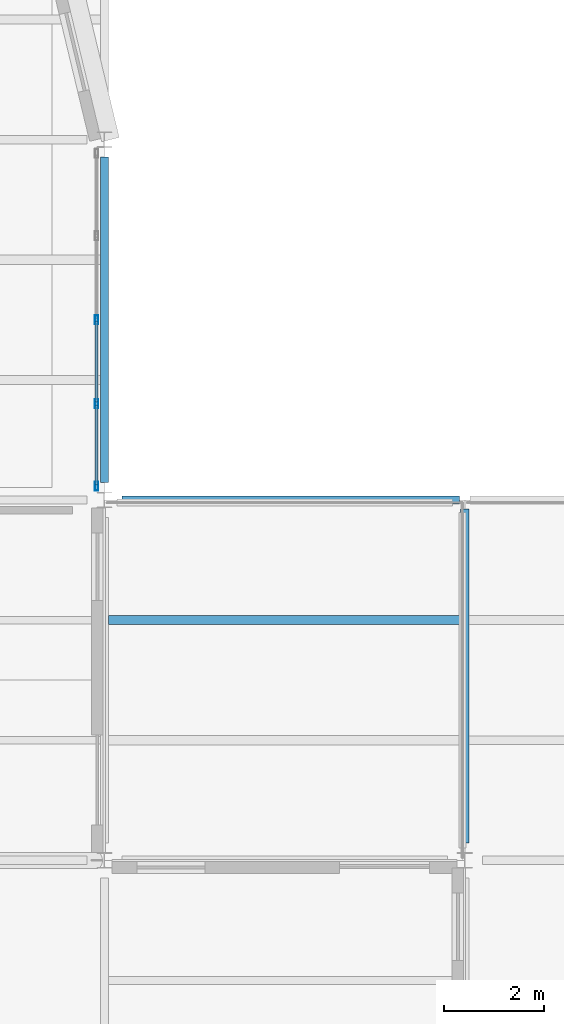
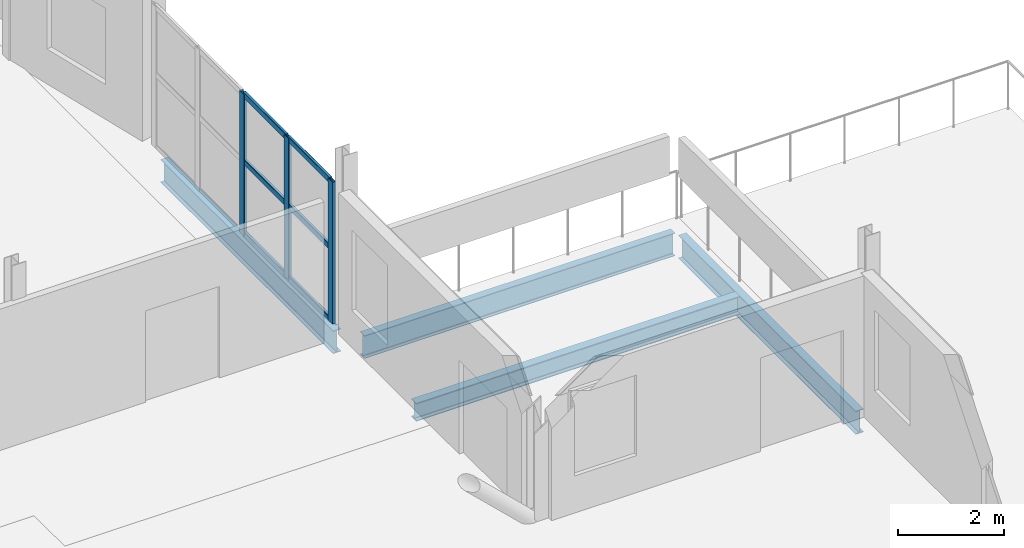
# One storey, part 6 of 18: 9 members, 4 beams, 1 element without a shape of its own.
"""IFC4 building model written with IfcOpenShell, lengths in metres."""

import ifcopenshell
import ifcopenshell.guid

model = None  # the IFC model being written
_history = None  # IfcOwnerHistory: only IFC2X3 demands one
_inside = {}  # id of a spatial element -> (the spatial element, [elements in it])
_under = {}  # id of a project, library or spatial element -> (it, [spatial elements below it])
_declared = {}  # id of a project -> (the project, [libraries it declares])
_typed = {}  # id of a type object -> (the type object, [elements of that type])
_made_of = {}  # id of a material, layer set ... -> (it, [elements and type objects made of it])


def new_model(schema):
    """Start an empty IFC model of exactly this schema.

    Asked for "IFC4X3", IfcOpenShell would pick the latest addendum, in which some entities
    have other attributes; the version numbers below select the first issue.
    IFC2X3 requires an IfcOwnerHistory on every rooted entity: one is made here for all.
    """
    global model, _history
    if schema == "IFC4X3":
        model = ifcopenshell.file(schema_version=(4, 3, 0, 0))
    else:
        model = ifcopenshell.file(schema=schema)
    _inside.clear()
    _under.clear()
    _declared.clear()
    _typed.clear()
    _made_of.clear()
    _history = None
    if model.schema == "IFC2X3":
        org = make("IfcOrganization", Name="unknown")
        user = make(
            "IfcPersonAndOrganization",
            ThePerson=make("IfcPerson", FamilyName="unknown"),
            TheOrganization=org,
        )
        app = make(
            "IfcApplication",
            ApplicationDeveloper=org,
            Version="unknown",
            ApplicationFullName="unknown",
            ApplicationIdentifier="unknown",
        )
        _history = make(
            "IfcOwnerHistory",
            OwningUser=user,
            OwningApplication=app,
            ChangeAction="ADDED",
            CreationDate=0,
        )
    return model


def make(cls, **values):
    """One entity of the class cls with the attributes given. An attribute that is None is left unset."""
    return model.create_entity(
        cls, **{name: value for name, value in values.items() if value is not None}
    )


def rooted(cls, **values):
    """An entity with a GlobalId (a new one), such as an element, a storey or a relation."""
    return make(cls, GlobalId=ifcopenshell.guid.new(), OwnerHistory=_history, **values)


def si_unit(unit_type, name, prefix=None):
    """IfcSIUnit, for example si_unit("LENGTHUNIT", "METRE", prefix="MILLI")."""
    return make("IfcSIUnit", UnitType=unit_type, Prefix=prefix, Name=name)


def assignment(units):
    """IfcUnitAssignment: the units of a project."""
    return None if units is None else make("IfcUnitAssignment", Units=units)


def point(xyz):
    """IfcCartesianPoint."""
    return None if xyz is None else make("IfcCartesianPoint", Coordinates=xyz)


def direction(xyz):
    """IfcDirection."""
    return None if xyz is None else make("IfcDirection", DirectionRatios=xyz)


def frame(location, z_axis=None, x_axis=None):
    """IfcAxis2Placement3D, a coordinate frame: its origin and axes. An axis left out is left unset."""
    return make(
        "IfcAxis2Placement3D",
        Location=point(location),
        Axis=direction(z_axis),
        RefDirection=direction(x_axis),
    )


def frame_2d(location, x_axis=None):
    """IfcAxis2Placement2D, a coordinate frame in the plane: its origin and x axis."""
    return make(
        "IfcAxis2Placement2D", Location=point(location), RefDirection=direction(x_axis)
    )


def origin():
    """The frame at (0, 0, 0) with its axes left unset."""
    return frame((0.0, 0.0, 0.0))


def origin_2d():
    """The frame at (0, 0) in the plane with its x axis left unset."""
    return frame_2d((0.0, 0.0))


def place(relative_to, where):
    """IfcLocalPlacement: puts the frame where relative to a parent placement (None: the world)."""
    return make(
        "IfcLocalPlacement", PlacementRelTo=relative_to, RelativePlacement=where
    )


def context(
    kind, dimensions, precision=None, world=None, true_north=None, identifier=None
):
    """IfcGeometricRepresentationContext, for example the 3D "Model" context."""
    return make(
        "IfcGeometricRepresentationContext",
        ContextIdentifier=identifier,
        ContextType=kind,
        CoordinateSpaceDimension=dimensions,
        Precision=precision,
        WorldCoordinateSystem=world,
        TrueNorth=true_north,
    )


def subcontext(parent, identifier, kind, view, scale=None):
    """IfcGeometricRepresentationSubContext, for example "Body" below "Model"."""
    return make(
        "IfcGeometricRepresentationSubContext",
        ContextIdentifier=identifier,
        ContextType=kind,
        ParentContext=parent,
        TargetScale=scale,
        TargetView=view,
    )


def project(units=None, contexts=None):
    """IfcProject with its units and contexts."""
    return rooted(
        "IfcProject",
        Name="project",
        RepresentationContexts=contexts,
        UnitsInContext=assignment(units),
    )


def spatial(cls, under=None, at=None, **own):
    """A site, building, storey or space (cls), placed at a placement, below another one or the project."""
    s = rooted(cls, ObjectPlacement=at, **own)
    if under is not None:
        _under.setdefault(under.id(), (under, []))[1].append(s)
    return s


def profile(cls, at=None, kind="AREA", **sizes):
    """A parametric profile (cls). Its sizes go by their IFC names, for example OverallWidth=200.0."""
    return make(cls, ProfileType=kind, Position=at, **sizes)


def hollow_rectangle(**sizes):
    """IfcRectangleHollowProfileDef."""
    return profile("IfcRectangleHollowProfileDef", **sizes)


def i_section(**sizes):
    """IfcIShapeProfileDef."""
    return profile("IfcIShapeProfileDef", **sizes)


def extrude(swept, where, along, depth):
    """IfcExtrudedAreaSolid: the profile swept, set in the frame where, extruded along a direction by depth."""
    return make(
        "IfcExtrudedAreaSolid",
        SweptArea=swept,
        Position=where,
        ExtrudedDirection=direction(along),
        Depth=depth,
    )


def shape(context_of_items, identifier, shape_type, items):
    """IfcShapeRepresentation: the items that make up one representation, for example the "Body"."""
    return make(
        "IfcShapeRepresentation",
        ContextOfItems=context_of_items,
        RepresentationIdentifier=identifier,
        RepresentationType=shape_type,
        Items=items,
    )


def material(Name=None, Category=None):
    """IfcMaterial."""
    return make("IfcMaterial", Name=Name, Category=Category)


def material_profile(
    of_material, cross_section, Name=None, Category=None, Priority=None
):
    """IfcMaterialProfile: a cross section and its material."""
    return make(
        "IfcMaterialProfile",
        Name=Name,
        Material=of_material,
        Profile=cross_section,
        Priority=Priority,
        Category=Category,
    )


def profile_set(profiles, Name=None, composite=None):
    """IfcMaterialProfileSet."""
    return make(
        "IfcMaterialProfileSet",
        Name=Name,
        MaterialProfiles=profiles,
        CompositeProfile=composite,
    )


def made_of(thing, what):
    """Note that an element or type object is made of a material, layer set ...; save() writes the relation."""
    if what is not None:
        _made_of.setdefault(what.id(), (what, []))[1].append(thing)
    return thing


def type_object(cls, material=None, **own):
    """A type object (cls), such as IfcWallType, which elements share."""
    return made_of(rooted(cls, **own), material)


def element(
    cls,
    number,
    at=None,
    inside=None,
    cuts=None,
    type_object=None,
    material=None,
    context=None,
    identifier="Body",
    shape_type=None,
    held_by="IfcProductDefinitionShape",
    body=None,
    shapes=None,
    **own,
):
    """One element of the class cls, such as IfcWall. Its Tag is "e" and its number.

    at: its placement. inside: the storey or other place that contains it. cuts: it is an
    opening in that element (IfcRelVoidsElement). A single representation is given by context,
    identifier, shape_type and body (its items); several are given by shapes. held_by: the class
    of the entity that holds the representations. save() writes the other relations.
    """
    e = rooted(cls, Tag="e%d" % number, ObjectPlacement=at, **own)
    if body is not None:
        shapes = [shape(context, identifier, shape_type, body)]
    if shapes is not None:
        e.Representation = make(held_by, Representations=shapes)
    if inside is not None:
        _inside.setdefault(inside.id(), (inside, []))[1].append(e)
    if cuts is not None:
        rooted(
            "IfcRelVoidsElement", RelatingBuildingElement=cuts, RelatedOpeningElement=e
        )
    if type_object is not None:
        _typed.setdefault(type_object.id(), (type_object, []))[1].append(e)
    return made_of(e, material)


def aggregate(whole, parts):
    """IfcRelAggregates: a whole, such as a stair, and the parts it consists of."""
    return rooted("IfcRelAggregates", RelatingObject=whole, RelatedObjects=parts)


def save(model, path):
    """Write the relations noted so far, then the file.

    IfcRelAggregates (storeys below a building ...), IfcRelContainedInSpatialStructure (elements
    in a storey), IfcRelDefinesByType, IfcRelAssociatesMaterial and IfcRelDeclares: one each for
    every whole, place, type object, material and project.
    """
    for whole, parts in _under.values():
        aggregate(whole, parts)
    for where, things in _inside.values():
        rooted(
            "IfcRelContainedInSpatialStructure",
            RelatedElements=things,
            RelatingStructure=where,
        )
    for kind, things in _typed.values():
        rooted("IfcRelDefinesByType", RelatedObjects=things, RelatingType=kind)
    for what, things in _made_of.values():
        rooted("IfcRelAssociatesMaterial", RelatedObjects=things, RelatingMaterial=what)
    for by, libraries in _declared.values():
        rooted("IfcRelDeclares", RelatingContext=by, RelatedDefinitions=libraries)
    model.write(path)


model = new_model("IFC4")

# Units and contexts
model_context = context("Model", 3, precision=1e-05, world=origin(), true_north=direction((0.0, 1.0)))
body_context = subcontext(model_context, "Body", "Model", "MODEL_VIEW")
ifc_project = project(units=[si_unit("LENGTHUNIT", "METRE"), si_unit("AREAUNIT", "SQUARE_METRE"), si_unit("VOLUMEUNIT", "CUBIC_METRE"), si_unit("PLANEANGLEUNIT", "RADIAN"), si_unit("MASSUNIT", "GRAM", prefix="KILO")], contexts=[model_context])

# Site, building, storey
site_placement = place(None, origin())
site = spatial("IfcSite", under=ifc_project, at=site_placement, CompositionType="ELEMENT")
building_placement = place(site_placement, origin())
building = spatial("IfcBuilding", under=site, at=building_placement, Name="Kalmorath City Hall", CompositionType="ELEMENT")
storey_placement = place(building_placement, frame((0.0, 0.0, 27.0)))
storey = spatial("IfcBuildingStorey", under=building, at=storey_placement, Name="L06", CompositionType="ELEMENT", Elevation=27.0)

# Curtain wall, members
ifc_material_1 = material(Name="Anodised aluminium and laminated glass", Category="aluminium")
curtain_wall_type = type_object("IfcCurtainWallType", Name="Unitised hurricane curtain wall 6712x3256 M1600", PredefinedType="NOTDEFINED", material=ifc_material_1)
curtain_wall_placement = place(storey_placement, origin())
curtain_wall = element("IfcCurtainWall", 1, at=curtain_wall_placement, inside=storey, type_object=curtain_wall_type, Name="L06 curtain wall CW-67X33M16 #174", PredefinedType="NOTDEFINED")
ifc_material_2 = material(Name="Anodised aluminium framing", Category="aluminium")
ifc_material_profile_1 = material_profile(ifc_material_2, hollow_rectangle(XDim=0.06494140625, YDim=0.179931640625, WallThickness=0.00390625, InnerFilletRadius=0.00390625, OuterFilletRadius=0.008056640625, at=origin_2d()), Name="ALU-MUL-180X65X4")
ifc_profile_set_1 = profile_set([ifc_material_profile_1], Name="Anodised aluminium framing")
member_type_1 = type_object("IfcMemberType", Name="Curtain-wall courtyard mullion 180x65", PredefinedType="MULLION", material=ifc_profile_set_1)
member_1_placement = place(storey_placement, frame((21.43994140625, 36.276611328125, 0.0), z_axis=(0.0, 0.0, 1.0), x_axis=(-1.0, 0.0, 0.0)))
member_1 = element("IfcMember", 2, at=member_1_placement, type_object=member_type_1, Name="CW-67X33M16 mullion 1", PredefinedType="MULLION", context=body_context, shape_type="SweptSolid", body=[
    extrude(hollow_rectangle(XDim=0.06494140625, YDim=0.179931640625, WallThickness=0.00390625, InnerFilletRadius=0.00390625, OuterFilletRadius=0.008056640625, at=origin_2d()), origin(), (0.0, 0.0, 1.0), 3.256103515625),
])
member_2_placement = place(storey_placement, frame((21.43994140625, 37.922119140625, 0.0), z_axis=(0.0, 0.0, 1.0), x_axis=(-1.0, 0.0, 0.0)))
member_2 = element("IfcMember", 3, at=member_2_placement, type_object=member_type_1, Name="CW-67X33M16 mullion 2", PredefinedType="MULLION", context=body_context, shape_type="SweptSolid", body=[
    extrude(hollow_rectangle(XDim=0.06494140625, YDim=0.179931640625, WallThickness=0.00390625, InnerFilletRadius=0.00390625, OuterFilletRadius=0.008056640625, at=origin_2d()), origin(), (0.0, 0.0, 1.0), 3.256103515625),
])
member_3_placement = place(storey_placement, frame((21.43994140625, 39.60009765625, 0.0), z_axis=(0.0, 0.0, 1.0), x_axis=(-1.0, 0.0, 0.0)))
member_3 = element("IfcMember", 4, at=member_3_placement, type_object=member_type_1, Name="CW-67X33M16 mullion 3", PredefinedType="MULLION", context=body_context, shape_type="SweptSolid", body=[
    extrude(hollow_rectangle(XDim=0.06494140625, YDim=0.179931640625, WallThickness=0.00390625, InnerFilletRadius=0.00390625, OuterFilletRadius=0.008056640625, at=origin_2d()), origin(), (0.0, 0.0, 1.0), 3.256103515625),
])
ifc_material_3 = material(Name="Anodised aluminium framing", Category="aluminium")
ifc_material_profile_2 = material_profile(ifc_material_3, hollow_rectangle(XDim=0.06005859375, YDim=0.1298828125, WallThickness=0.00341796875, InnerFilletRadius=0.00341796875, OuterFilletRadius=0.007080078125, at=origin_2d()), Name="ALU-TRN-130X60X3.5")
ifc_profile_set_2 = profile_set([ifc_material_profile_2], Name="Anodised aluminium framing")
member_type_2 = type_object("IfcMemberType", Name="Curtain-wall courtyard transom 130x60", PredefinedType="USERDEFINED", material=ifc_profile_set_2)
member_4_placement = place(storey_placement, frame((21.43994140625, 36.30908203125, 0.030029296875), z_axis=(0.0, 1.0, 0.0), x_axis=(-1.0, 0.0, 0.0)))
member_4 = element("IfcMember", 5, at=member_4_placement, type_object=member_type_2, Name="CW-67X33M16 transom 1.1", ObjectType="TRANSOM", PredefinedType="USERDEFINED", context=body_context, shape_type="SweptSolid", body=[
    extrude(hollow_rectangle(XDim=0.06005859375, YDim=0.1298828125, WallThickness=0.00341796875, InnerFilletRadius=0.00341796875, OuterFilletRadius=0.007080078125, at=origin_2d()), origin(), (0.0, 0.0, 1.0), 1.580322265625),
])
member_5_placement = place(storey_placement, frame((21.43994140625, 36.30908203125, 1.693115234375), z_axis=(0.0, 1.0, 0.0), x_axis=(-1.0, 0.0, 0.0)))
member_5 = element("IfcMember", 6, at=member_5_placement, type_object=member_type_2, Name="CW-67X33M16 transom 1.2", ObjectType="TRANSOM", PredefinedType="USERDEFINED", context=body_context, shape_type="SweptSolid", body=[
    extrude(hollow_rectangle(XDim=0.06005859375, YDim=0.1298828125, WallThickness=0.00341796875, InnerFilletRadius=0.00341796875, OuterFilletRadius=0.007080078125, at=origin_2d()), origin(), (0.0, 0.0, 1.0), 1.580322265625),
])
member_6_placement = place(storey_placement, frame((21.43994140625, 36.30908203125, 3.22607421875), z_axis=(0.0, 1.0, 0.0), x_axis=(-1.0, 0.0, 0.0)))
member_6 = element("IfcMember", 7, at=member_6_placement, type_object=member_type_2, Name="CW-67X33M16 transom 1.3", ObjectType="TRANSOM", PredefinedType="USERDEFINED", context=body_context, shape_type="SweptSolid", body=[
    extrude(hollow_rectangle(XDim=0.06005859375, YDim=0.1298828125, WallThickness=0.00341796875, InnerFilletRadius=0.00341796875, OuterFilletRadius=0.007080078125, at=origin_2d()), origin(), (0.0, 0.0, 1.0), 1.580322265625),
])
member_7_placement = place(storey_placement, frame((21.43994140625, 37.95458984375, 0.030029296875), z_axis=(0.0, 1.0, 0.0), x_axis=(-1.0, 0.0, 0.0)))
member_7 = element("IfcMember", 8, at=member_7_placement, type_object=member_type_2, Name="CW-67X33M16 transom 2.1", ObjectType="TRANSOM", PredefinedType="USERDEFINED", context=body_context, shape_type="SweptSolid", body=[
    extrude(hollow_rectangle(XDim=0.06005859375, YDim=0.1298828125, WallThickness=0.00341796875, InnerFilletRadius=0.00341796875, OuterFilletRadius=0.007080078125, at=origin_2d()), origin(), (0.0, 0.0, 1.0), 1.61279296875),
])
member_8_placement = place(storey_placement, frame((21.43994140625, 37.95458984375, 1.693115234375), z_axis=(0.0, 1.0, 0.0), x_axis=(-1.0, 0.0, 0.0)))
member_8 = element("IfcMember", 9, at=member_8_placement, type_object=member_type_2, Name="CW-67X33M16 transom 2.2", ObjectType="TRANSOM", PredefinedType="USERDEFINED", context=body_context, shape_type="SweptSolid", body=[
    extrude(hollow_rectangle(XDim=0.06005859375, YDim=0.1298828125, WallThickness=0.00341796875, InnerFilletRadius=0.00341796875, OuterFilletRadius=0.007080078125, at=origin_2d()), origin(), (0.0, 0.0, 1.0), 1.61279296875),
])
member_9_placement = place(storey_placement, frame((21.43994140625, 37.95458984375, 3.22607421875), z_axis=(0.0, 1.0, 0.0), x_axis=(-1.0, 0.0, 0.0)))
member_9 = element("IfcMember", 10, at=member_9_placement, type_object=member_type_2, Name="CW-67X33M16 transom 2.3", ObjectType="TRANSOM", PredefinedType="USERDEFINED", context=body_context, shape_type="SweptSolid", body=[
    extrude(hollow_rectangle(XDim=0.06005859375, YDim=0.1298828125, WallThickness=0.00341796875, InnerFilletRadius=0.00341796875, OuterFilletRadius=0.007080078125, at=origin_2d()), origin(), (0.0, 0.0, 1.0), 1.61279296875),
])
aggregate(curtain_wall, [member_1, member_2, member_3, member_4, member_5, member_6, member_7, member_8, member_9])

# Beams
ifc_material_4 = material(Name="Steel ASTM A992 Grade 50", Category="steel")
ifc_material_profile_3 = material_profile(ifc_material_4, i_section(OverallWidth=0.180908203125, OverallDepth=0.4169921875, WebThickness=0.010986328125, FlangeThickness=0.018310546875, FilletRadius=0.012939453125, at=origin_2d()), Name="W16X57")
ifc_profile_set_3 = profile_set([ifc_material_profile_3], Name="Steel ASTM A992 Grade 50")
beam_type_1 = type_object("IfcBeamType", Name="Steel composite joist W16X57", PredefinedType="JOIST", material=ifc_profile_set_3)
beam_1_placement = place(storey_placement, frame((21.68359375, 33.60009765625, -0.50244140625), z_axis=(1.0, 0.0, 0.0), x_axis=(0.0, 1.0, 0.0)))
element("IfcBeam", 11, at=beam_1_placement, inside=storey, type_object=beam_type_1, Name="L06 joist SJ5 4.5.2", PredefinedType="JOIST", context=body_context, shape_type="SweptSolid", body=[
    extrude(i_section(OverallWidth=0.180908203125, OverallDepth=0.4169921875, WebThickness=0.010986328125, FlangeThickness=0.018310546875, FilletRadius=0.012939453125, at=origin_2d()), origin(), (0.0, 0.0, 1.0), 7.032958984375),
])
ifc_material_5 = material(Name="Steel ASTM A992 Grade 50", Category="steel")
ifc_material_profile_4 = material_profile(ifc_material_5, i_section(OverallWidth=0.1669921875, OverallDepth=0.534912109375, WebThickness=0.01025390625, FlangeThickness=0.0166015625, FilletRadius=0.014892578125, at=origin_2d()), Name="W21X57")
ifc_profile_set_4 = profile_set([ifc_material_profile_4], Name="Steel ASTM A992 Grade 50")
beam_type_2 = type_object("IfcBeamType", Name="Steel floor beam W21X57", PredefinedType="BEAM", material=ifc_profile_set_4)
beam_2_placement = place(storey_placement, frame((28.800048828125, 29.14990234375, -0.5615234375), z_axis=(0.0, 1.0, 0.0), x_axis=(-1.0, 0.0, 0.0)))
element("IfcBeam", 12, at=beam_2_placement, inside=storey, type_object=beam_type_2, Name="L06 girder SB3 Y5/5-6", PredefinedType="BEAM", context=body_context, shape_type="SweptSolid", body=[
    extrude(i_section(OverallWidth=0.1669921875, OverallDepth=0.534912109375, WebThickness=0.01025390625, FlangeThickness=0.0166015625, FilletRadius=0.014892578125, at=origin_2d()), origin(), (0.0, 0.0, 1.0), 6.675048828125),
])
ifc_material_6 = material(Name="Steel ASTM A992 Grade 50", Category="steel")
ifc_material_profile_5 = material_profile(ifc_material_6, i_section(OverallWidth=0.1650390625, OverallDepth=0.52490234375, WebThickness=0.0087890625, FlangeThickness=0.011474609375, FilletRadius=0.014892578125, at=origin_2d()), Name="W21X44")
ifc_profile_set_5 = profile_set([ifc_material_profile_5], Name="Steel ASTM A992 Grade 50")
beam_type_3 = type_object("IfcBeamType", Name="Steel spandrel beam W21X44", PredefinedType="SPANDREL", material=ifc_profile_set_5)
beam_3_placement = place(storey_placement, frame((21.949951171875, 36.0, -0.556396484375), z_axis=(1.0, 0.0, 0.0), x_axis=(0.0, 1.0, 0.0)))
element("IfcBeam", 13, at=beam_3_placement, inside=storey, type_object=beam_type_3, Name="L06 girder SB4 X4-5/6", PredefinedType="SPANDREL", context=body_context, shape_type="SweptSolid", body=[
    extrude(i_section(OverallWidth=0.1650390625, OverallDepth=0.52490234375, WebThickness=0.0087890625, FlangeThickness=0.011474609375, FilletRadius=0.014892578125, at=origin_2d()), origin(), (0.0, 0.0, 1.0), 6.748046875),
])
beam_4_placement = place(storey_placement, frame((21.60009765625, 36.35009765625, -0.556396484375), z_axis=(0.0, 1.0, 0.0), x_axis=(-1.0, 0.0, 0.0)))
element("IfcBeam", 14, at=beam_4_placement, inside=storey, type_object=beam_type_3, Name="L06 girder SB4 Y4/6-7", PredefinedType="SPANDREL", context=body_context, shape_type="SweptSolid", body=[
    extrude(i_section(OverallWidth=0.1650390625, OverallDepth=0.52490234375, WebThickness=0.0087890625, FlangeThickness=0.011474609375, FilletRadius=0.014892578125, at=origin_2d()), origin(), (0.0, 0.0, 1.0), 6.5),
])

save(model, "model.ifc")
